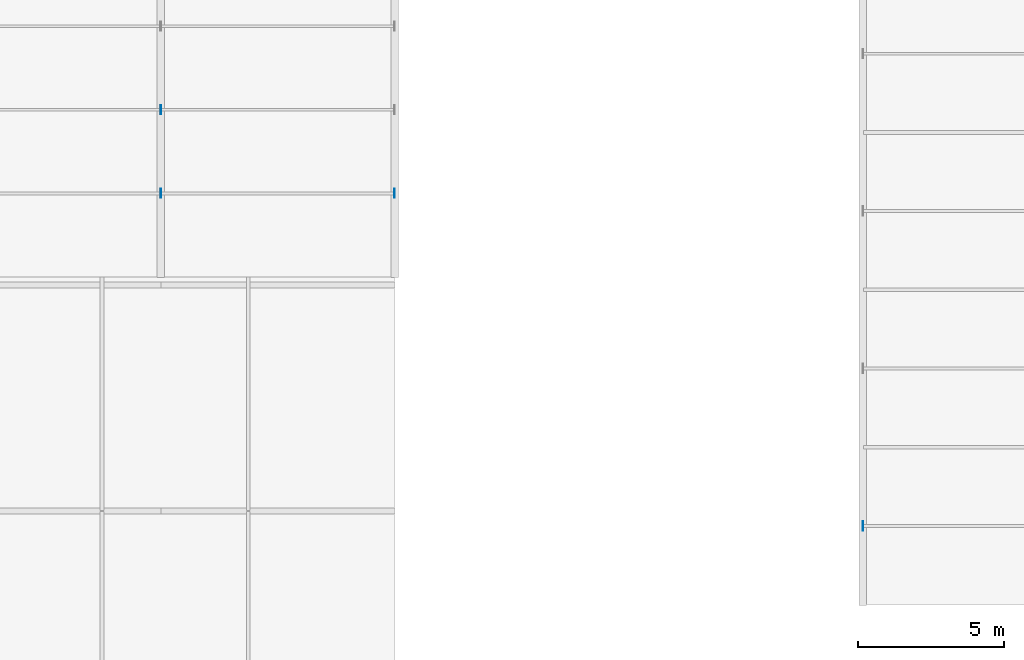
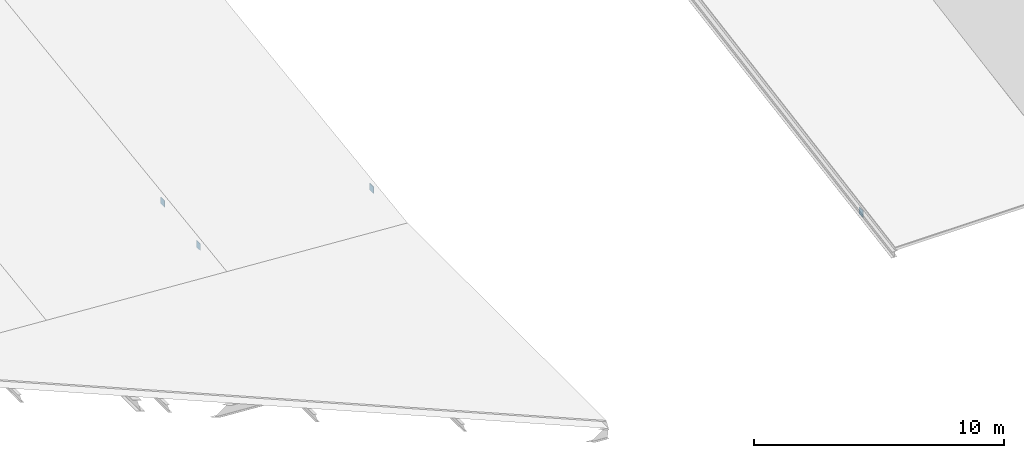
# One storey, part 57 of 77: 4 plates.
"""IFC4 building model written with IfcOpenShell, lengths in metres."""

from ifc_helpers import new_model, si_unit, direction, frame, origin, origin_2d, place, context, subcontext, project, spatial, rectangle, extrude, material, material_profile, profile_set, type_object, element, save


model = new_model("IFC4")

# Units and contexts
model_context = context("Model", 3, precision=1e-05, world=origin(), true_north=direction((0.0, 1.0)))
body_context = subcontext(model_context, "Body", "Model", "MODEL_VIEW")
ifc_project = project(units=[si_unit("LENGTHUNIT", "METRE"), si_unit("AREAUNIT", "SQUARE_METRE"), si_unit("VOLUMEUNIT", "CUBIC_METRE"), si_unit("PLANEANGLEUNIT", "RADIAN"), si_unit("MASSUNIT", "GRAM", prefix="KILO"), si_unit("THERMODYNAMICTEMPERATUREUNIT", "KELVIN"), si_unit("POWERUNIT", "WATT")], contexts=[model_context])

# Site, building, storey
site_placement = place(None, origin())
site = spatial("IfcSite", under=ifc_project, at=site_placement, CompositionType="ELEMENT")
building_placement = place(site_placement, origin())
building = spatial("IfcBuilding", under=site, at=building_placement, Name="Zhenchuan Central Fire Station", CompositionType="ELEMENT")
storey_placement = place(building_placement, frame((0.0, 0.0, 10.050048828125)))
storey = spatial("IfcBuildingStorey", under=building, at=storey_placement, Name="L03", CompositionType="ELEMENT", Elevation=10.050048828125)

# Plates
ifc_material = material(Name="Steel Q355B", Category="steel")
ifc_material_profile = material_profile(ifc_material, rectangle(XDim=0.320068359375, YDim=0.320068359375, at=origin_2d()), Name="PL 320x320x20")
ifc_profile_set = profile_set([ifc_material_profile], Name="Steel Q355B")
plate_type = type_object("IfcPlateType", Name="PL-CAP20", PredefinedType="SHEET", material=ifc_profile_set)
for number, where, z_axis, x_axis, name in (
    (1, (55.9990234375, 13.989013671875, 0.123779296875), (1.0, 0.0, 0.0), (0.0, 1.0, 0.0), "Pavilion H01 Roof Purlin 1 end cap plate A"),
    (2, (31.9990234375, 25.354248046875, 0.012939453125), (1.0, 0.0, 0.0), (0.0, 1.0, 0.0), "Workshop Sawtooth Purlin 5.1 end cap plate A"),
    (3, (39.98095703125, 25.354248046875, 0.012939453125), (1.0, 0.0, 0.0), (0.0, 1.0, 0.0), "Workshop Sawtooth Purlin 5.1 end cap plate B"),
    (4, (31.9990234375, 28.20849609375, 0.395751953125), (1.0, 0.0, 0.0), (0.0, 1.0, 0.0), "Workshop Sawtooth Purlin 5.2 end cap plate A"),
):
    element("IfcPlate", number, at=place(storey_placement, frame(where, z_axis=z_axis, x_axis=x_axis)), inside=storey, type_object=plate_type, Name=name, PredefinedType="SHEET", context=body_context, shape_type="SweptSolid", body=[
        extrude(rectangle(XDim=0.320068359375, YDim=0.320068359375, at=origin_2d()), origin(), (0.0, 0.0, 1.0), 0.02001953125),
    ])

save(model, "model.ifc")
